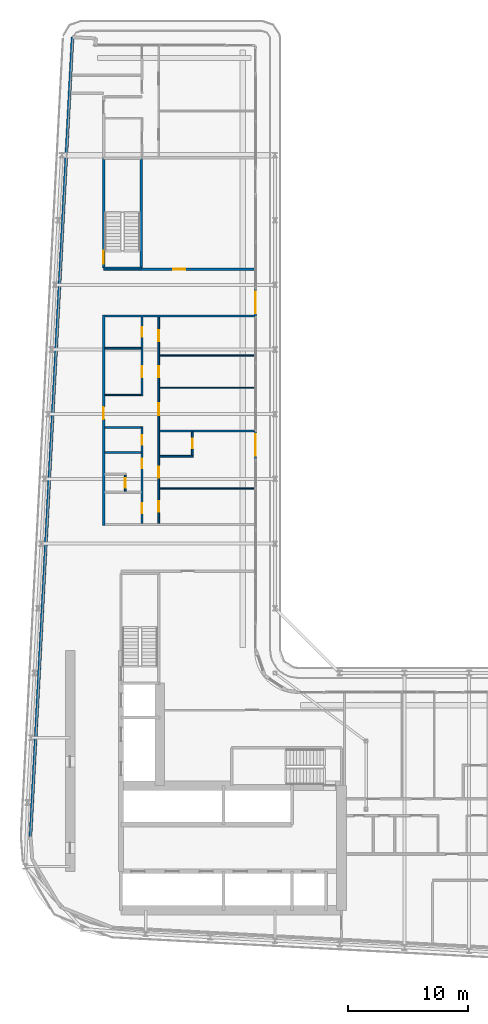
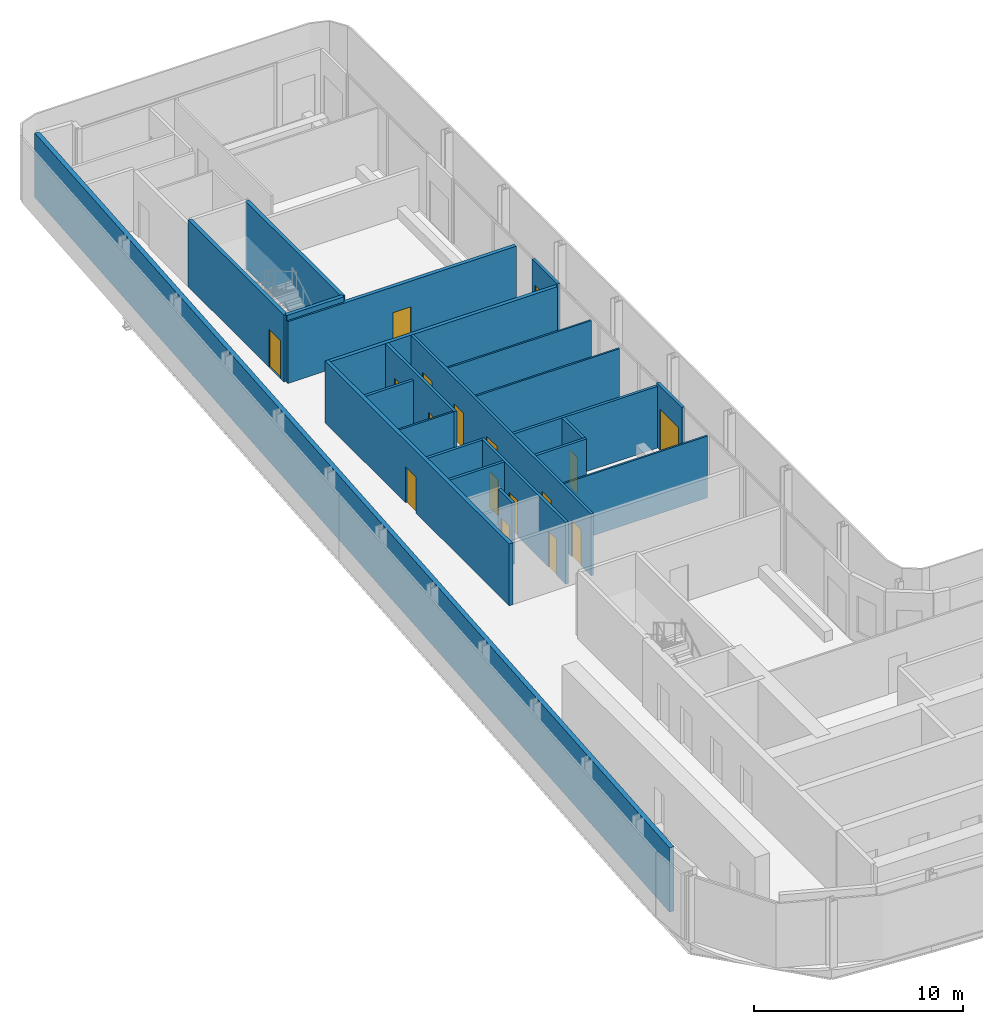
# One storey, part 18 of 28: 23 walls, 17 doors, 17 openings.
"""IFC4 building model written with IfcOpenShell, lengths in metres."""

import ifcopenshell
import ifcopenshell.guid

model = None  # the IFC model being written
_history = None  # IfcOwnerHistory: only IFC2X3 demands one
_inside = {}  # id of a spatial element -> (the spatial element, [elements in it])
_under = {}  # id of a project, library or spatial element -> (it, [spatial elements below it])
_declared = {}  # id of a project -> (the project, [libraries it declares])
_typed = {}  # id of a type object -> (the type object, [elements of that type])
_made_of = {}  # id of a material, layer set ... -> (it, [elements and type objects made of it])


def new_model(schema):
    """Start an empty IFC model of exactly this schema.

    Asked for "IFC4X3", IfcOpenShell would pick the latest addendum, in which some entities
    have other attributes; the version numbers below select the first issue.
    IFC2X3 requires an IfcOwnerHistory on every rooted entity: one is made here for all.
    """
    global model, _history
    if schema == "IFC4X3":
        model = ifcopenshell.file(schema_version=(4, 3, 0, 0))
    else:
        model = ifcopenshell.file(schema=schema)
    _inside.clear()
    _under.clear()
    _declared.clear()
    _typed.clear()
    _made_of.clear()
    _history = None
    if model.schema == "IFC2X3":
        org = make("IfcOrganization", Name="unknown")
        user = make(
            "IfcPersonAndOrganization",
            ThePerson=make("IfcPerson", FamilyName="unknown"),
            TheOrganization=org,
        )
        app = make(
            "IfcApplication",
            ApplicationDeveloper=org,
            Version="unknown",
            ApplicationFullName="unknown",
            ApplicationIdentifier="unknown",
        )
        _history = make(
            "IfcOwnerHistory",
            OwningUser=user,
            OwningApplication=app,
            ChangeAction="ADDED",
            CreationDate=0,
        )
    return model


def make(cls, **values):
    """One entity of the class cls with the attributes given. An attribute that is None is left unset."""
    return model.create_entity(
        cls, **{name: value for name, value in values.items() if value is not None}
    )


def rooted(cls, **values):
    """An entity with a GlobalId (a new one), such as an element, a storey or a relation."""
    return make(cls, GlobalId=ifcopenshell.guid.new(), OwnerHistory=_history, **values)


def si_unit(unit_type, name, prefix=None):
    """IfcSIUnit, for example si_unit("LENGTHUNIT", "METRE", prefix="MILLI")."""
    return make("IfcSIUnit", UnitType=unit_type, Prefix=prefix, Name=name)


def assignment(units):
    """IfcUnitAssignment: the units of a project."""
    return None if units is None else make("IfcUnitAssignment", Units=units)


def point(xyz):
    """IfcCartesianPoint."""
    return None if xyz is None else make("IfcCartesianPoint", Coordinates=xyz)


def direction(xyz):
    """IfcDirection."""
    return None if xyz is None else make("IfcDirection", DirectionRatios=xyz)


def frame(location, z_axis=None, x_axis=None):
    """IfcAxis2Placement3D, a coordinate frame: its origin and axes. An axis left out is left unset."""
    return make(
        "IfcAxis2Placement3D",
        Location=point(location),
        Axis=direction(z_axis),
        RefDirection=direction(x_axis),
    )


def frame_2d(location, x_axis=None):
    """IfcAxis2Placement2D, a coordinate frame in the plane: its origin and x axis."""
    return make(
        "IfcAxis2Placement2D", Location=point(location), RefDirection=direction(x_axis)
    )


def origin():
    """The frame at (0, 0, 0) with its axes left unset."""
    return frame((0.0, 0.0, 0.0))


def place(relative_to, where):
    """IfcLocalPlacement: puts the frame where relative to a parent placement (None: the world)."""
    return make(
        "IfcLocalPlacement", PlacementRelTo=relative_to, RelativePlacement=where
    )


def context(
    kind, dimensions, precision=None, world=None, true_north=None, identifier=None
):
    """IfcGeometricRepresentationContext, for example the 3D "Model" context."""
    return make(
        "IfcGeometricRepresentationContext",
        ContextIdentifier=identifier,
        ContextType=kind,
        CoordinateSpaceDimension=dimensions,
        Precision=precision,
        WorldCoordinateSystem=world,
        TrueNorth=true_north,
    )


def subcontext(parent, identifier, kind, view, scale=None):
    """IfcGeometricRepresentationSubContext, for example "Body" below "Model"."""
    return make(
        "IfcGeometricRepresentationSubContext",
        ContextIdentifier=identifier,
        ContextType=kind,
        ParentContext=parent,
        TargetScale=scale,
        TargetView=view,
    )


def project(units=None, contexts=None):
    """IfcProject with its units and contexts."""
    return rooted(
        "IfcProject",
        Name="project",
        RepresentationContexts=contexts,
        UnitsInContext=assignment(units),
    )


def spatial(cls, under=None, at=None, **own):
    """A site, building, storey or space (cls), placed at a placement, below another one or the project."""
    s = rooted(cls, ObjectPlacement=at, **own)
    if under is not None:
        _under.setdefault(under.id(), (under, []))[1].append(s)
    return s


def profile(cls, at=None, kind="AREA", **sizes):
    """A parametric profile (cls). Its sizes go by their IFC names, for example OverallWidth=200.0."""
    return make(cls, ProfileType=kind, Position=at, **sizes)


def rectangle(**sizes):
    """IfcRectangleProfileDef."""
    return profile("IfcRectangleProfileDef", **sizes)


def extrude(swept, where, along, depth):
    """IfcExtrudedAreaSolid: the profile swept, set in the frame where, extruded along a direction by depth."""
    return make(
        "IfcExtrudedAreaSolid",
        SweptArea=swept,
        Position=where,
        ExtrudedDirection=direction(along),
        Depth=depth,
    )


def shape(context_of_items, identifier, shape_type, items):
    """IfcShapeRepresentation: the items that make up one representation, for example the "Body"."""
    return make(
        "IfcShapeRepresentation",
        ContextOfItems=context_of_items,
        RepresentationIdentifier=identifier,
        RepresentationType=shape_type,
        Items=items,
    )


def source(mapping_origin, context_of_items, identifier, shape_type, items):
    """IfcRepresentationMap: a shape defined once, which mapped items show again and again."""
    return make(
        "IfcRepresentationMap",
        MappingOrigin=mapping_origin,
        MappedRepresentation=shape(context_of_items, identifier, shape_type, items),
    )


def transform(
    local_origin,
    x_axis=None,
    y_axis=None,
    z_axis=None,
    scale=None,
    scale2=None,
    scale3=None,
    uniform=True,
):
    """IfcCartesianTransformationOperator3D, or its non-uniform kind. x_axis, y_axis, z_axis: its Axis1, 2, 3."""
    if uniform:
        return make(
            "IfcCartesianTransformationOperator3D",
            Axis1=direction(x_axis),
            Axis2=direction(y_axis),
            LocalOrigin=point(local_origin),
            Scale=scale,
            Axis3=direction(z_axis),
        )
    return make(
        "IfcCartesianTransformationOperator3DnonUniform",
        Axis1=direction(x_axis),
        Axis2=direction(y_axis),
        LocalOrigin=point(local_origin),
        Scale=scale,
        Axis3=direction(z_axis),
        Scale2=scale2,
        Scale3=scale3,
    )


def mapped(mapping_source, mapping_target):
    """IfcMappedItem: shows the shape of a source again, moved by a transform."""
    return make(
        "IfcMappedItem", MappingSource=mapping_source, MappingTarget=mapping_target
    )


def material(Name=None, Category=None):
    """IfcMaterial."""
    return make("IfcMaterial", Name=Name, Category=Category)


def layer(
    of_material, thickness, ventilated=None, Name=None, Category=None, Priority=None
):
    """IfcMaterialLayer: one layer of a wall or slab, of a material (None: an air gap)."""
    return make(
        "IfcMaterialLayer",
        Material=of_material,
        LayerThickness=thickness,
        IsVentilated=ventilated,
        Name=Name,
        Category=Category,
        Priority=Priority,
    )


def layer_set(layers, Name=None):
    """IfcMaterialLayerSet."""
    return make("IfcMaterialLayerSet", MaterialLayers=layers, LayerSetName=Name)


def made_of(thing, what):
    """Note that an element or type object is made of a material, layer set ...; save() writes the relation."""
    if what is not None:
        _made_of.setdefault(what.id(), (what, []))[1].append(thing)
    return thing


def type_object(cls, material=None, **own):
    """A type object (cls), such as IfcWallType, which elements share."""
    return made_of(rooted(cls, **own), material)


def element(
    cls,
    number,
    at=None,
    inside=None,
    cuts=None,
    type_object=None,
    material=None,
    context=None,
    identifier="Body",
    shape_type=None,
    held_by="IfcProductDefinitionShape",
    body=None,
    shapes=None,
    **own,
):
    """One element of the class cls, such as IfcWall. Its Tag is "e" and its number.

    at: its placement. inside: the storey or other place that contains it. cuts: it is an
    opening in that element (IfcRelVoidsElement). A single representation is given by context,
    identifier, shape_type and body (its items); several are given by shapes. held_by: the class
    of the entity that holds the representations. save() writes the other relations.
    """
    e = rooted(cls, Tag="e%d" % number, ObjectPlacement=at, **own)
    if body is not None:
        shapes = [shape(context, identifier, shape_type, body)]
    if shapes is not None:
        e.Representation = make(held_by, Representations=shapes)
    if inside is not None:
        _inside.setdefault(inside.id(), (inside, []))[1].append(e)
    if cuts is not None:
        rooted(
            "IfcRelVoidsElement", RelatingBuildingElement=cuts, RelatedOpeningElement=e
        )
    if type_object is not None:
        _typed.setdefault(type_object.id(), (type_object, []))[1].append(e)
    return made_of(e, material)


def fill(opening, filler):
    """IfcRelFillsElement: the door or window that sits in an opening."""
    return rooted(
        "IfcRelFillsElement",
        RelatingOpeningElement=opening,
        RelatedBuildingElement=filler,
    )


def aggregate(whole, parts):
    """IfcRelAggregates: a whole, such as a stair, and the parts it consists of."""
    return rooted("IfcRelAggregates", RelatingObject=whole, RelatedObjects=parts)


def save(model, path):
    """Write the relations noted so far, then the file.

    IfcRelAggregates (storeys below a building ...), IfcRelContainedInSpatialStructure (elements
    in a storey), IfcRelDefinesByType, IfcRelAssociatesMaterial and IfcRelDeclares: one each for
    every whole, place, type object, material and project.
    """
    for whole, parts in _under.values():
        aggregate(whole, parts)
    for where, things in _inside.values():
        rooted(
            "IfcRelContainedInSpatialStructure",
            RelatedElements=things,
            RelatingStructure=where,
        )
    for kind, things in _typed.values():
        rooted("IfcRelDefinesByType", RelatedObjects=things, RelatingType=kind)
    for what, things in _made_of.values():
        rooted("IfcRelAssociatesMaterial", RelatedObjects=things, RelatingMaterial=what)
    for by, libraries in _declared.values():
        rooted("IfcRelDeclares", RelatingContext=by, RelatedDefinitions=libraries)
    model.write(path)


model = new_model("IFC4")

# Units and contexts
model_context = context("Model", 3, precision=1e-05, world=origin(), true_north=direction((0.0, 1.0)))
body_context = subcontext(model_context, "Body", "Model", "MODEL_VIEW")
ifc_project = project(units=[si_unit("LENGTHUNIT", "METRE"), si_unit("AREAUNIT", "SQUARE_METRE"), si_unit("VOLUMEUNIT", "CUBIC_METRE"), si_unit("PLANEANGLEUNIT", "RADIAN"), si_unit("MASSUNIT", "GRAM", prefix="KILO")], contexts=[model_context])

# Site, building, storey
site_placement = place(None, origin())
site = spatial("IfcSite", under=ifc_project, at=site_placement, CompositionType="ELEMENT")
building_placement = place(site_placement, origin())
building = spatial("IfcBuilding", under=site, at=building_placement, Name="Kheshtan School and Residences Tower", CompositionType="ELEMENT")
storey_placement = place(building_placement, frame((0.0, 0.0, 187.699951171875)))
storey = spatial("IfcBuildingStorey", under=building, at=storey_placement, Name="L44", CompositionType="ELEMENT", Elevation=187.699951171875)

# Wall, opening, door
ifc_material_1 = material(Name="Gypsum board on steel studs with fire boards", Category="steel")
ifc_layer_1 = layer(ifc_material_1, 0.199951171875)
ifc_layer_set_1 = layer_set([ifc_layer_1], Name="Corridor wall 200")
wall_type_1 = type_object("IfcWallType", Name="Corridor wall 200", PredefinedType="PARTITIONING", material=ifc_layer_set_1)
wall_1_placement = place(storey_placement, frame((33.300048828125, 57.89990234375, 0.0), z_axis=(0.0, 0.0, 1.0), x_axis=(0.0, 1.0, 0.0)))
wall_1 = element("IfcWall", 1, at=wall_1_placement, inside=storey, type_object=wall_type_1, Name="Partition L44-003", PredefinedType="PARTITIONING", context=body_context, shape_type="SweptSolid", body=[
    extrude(rectangle(XDim=17.60009765625, YDim=0.199951171875, at=frame_2d((8.800048828125, 0.0))), origin(), (0.0, 0.0, 1.0), 3.60009765625),
])
opening_1_placement = place(wall_1_placement, frame((8.89990234375, 0.0, 0.0)))
opening_1 = element("IfcOpeningElement", 2, at=opening_1_placement, cuts=wall_1, Name="Opening D43-039", PredefinedType="OPENING", context=body_context, shape_type="SweptSolid", body=[
    extrude(rectangle(XDim=1.0, YDim=2.10009765625, at=frame_2d((0.5, 1.050048828125))), frame((0.0, 0.10986328125, 0.0), z_axis=(0.0, -1.0, 0.0), x_axis=(1.0, 0.0, 0.0)), (0.0, 0.0, 1.0), 0.219970703125),
])
ifc_material_2 = material(Name="Steel-framed fire-resisting door leaf", Category="steel")
door_type_1 = type_object("IfcDoorType", Name="Fire door FD30S 1000 x 2100", OperationType="SINGLE_SWING_LEFT", PredefinedType="DOOR", material=ifc_material_2)
shared_shape_1 = source(origin(), body_context, "Body", "SweptSolid", [
    extrude(rectangle(XDim=1.0, YDim=2.10009765625, at=frame_2d((0.5, 1.050048828125))), frame((0.0, 0.02490234375, 0.0), z_axis=(0.0, -1.0, 0.0), x_axis=(1.0, 0.0, 0.0)), (0.0, 0.0, 1.0), 0.050048828125),
])
door_1_placement = place(opening_1_placement, origin())
door_1 = element("IfcDoor", 3, at=door_1_placement, inside=storey, type_object=door_type_1, Name="Door D43-039", OperationType="SINGLE_SWING_RIGHT", OverallHeight=2.10009765625, OverallWidth=1.0, PredefinedType="DOOR", context=body_context, shape_type="MappedRepresentation", body=[
    mapped(shared_shape_1, transform((0.0, 0.0, 0.0), x_axis=(1.0, 0.0, 0.0), y_axis=(0.0, 1.0, 0.0), z_axis=(0.0, 0.0, 1.0), scale=1.0)),
])
fill(opening_1, door_1)

wall_2_placement = place(storey_placement, frame((33.300048828125, 79.300048828125, 0.0), z_axis=(0.0, 0.0, 1.0), x_axis=(1.0, 0.0, 0.0)))
wall_2 = element("IfcWall", 4, at=wall_2_placement, inside=storey, type_object=wall_type_1, Name="Partition L44-004", PredefinedType="PARTITIONING", context=body_context, shape_type="SweptSolid", body=[
    extrude(rectangle(XDim=12.599853515625, YDim=0.199951171875, at=frame_2d((6.2998046875, 0.0))), origin(), (0.0, 0.0, 1.0), 3.60009765625),
])
opening_2_placement = place(wall_2_placement, frame((5.794921875, 0.0, 0.0)))
opening_2 = element("IfcOpeningElement", 5, at=opening_2_placement, cuts=wall_2, Name="Opening D43-056", PredefinedType="OPENING", context=body_context, shape_type="SweptSolid", body=[
    extrude(rectangle(XDim=1.0, YDim=2.10009765625, at=frame_2d((0.5, 1.050048828125))), frame((0.0, 0.10986328125, 0.0), z_axis=(0.0, -1.0, 0.0), x_axis=(1.0, 0.0, 0.0)), (0.0, 0.0, 1.0), 0.219970703125),
])
door_type_2 = type_object("IfcDoorType", Name="Fire door FD60 1000 x 2100", OperationType="SINGLE_SWING_LEFT", PredefinedType="DOOR", material=ifc_material_2)
shared_shape_2 = source(origin(), body_context, "Body", "SweptSolid", [
    extrude(rectangle(XDim=1.0, YDim=2.10009765625, at=frame_2d((0.5, 1.050048828125))), frame((0.0, 0.02490234375, 0.0), z_axis=(0.0, -1.0, 0.0), x_axis=(1.0, 0.0, 0.0)), (0.0, 0.0, 1.0), 0.050048828125),
])
door_2_placement = place(opening_2_placement, origin())
door_2 = element("IfcDoor", 6, at=door_2_placement, inside=storey, type_object=door_type_2, Name="Door D43-056", OperationType="SINGLE_SWING_RIGHT", OverallHeight=2.10009765625, OverallWidth=1.0, PredefinedType="DOOR", context=body_context, shape_type="MappedRepresentation", body=[
    mapped(shared_shape_2, transform((0.0, 0.0, 0.0), x_axis=(1.0, 0.0, 0.0), y_axis=(0.0, 1.0, 0.0), z_axis=(0.0, 0.0, 1.0), scale=1.0)),
])
fill(opening_2, door_2)

# Walls
wall_3_placement = place(storey_placement, frame((33.39990234375, 75.39990234375, 0.0), z_axis=(0.0, 0.0, 1.0), x_axis=(1.0, 0.0, 0.0)))
element("IfcWall", 7, at=wall_3_placement, inside=storey, type_object=wall_type_1, Name="Partition L44-013", PredefinedType="PARTITIONING", context=body_context, shape_type="SweptSolid", body=[
    extrude(rectangle(XDim=12.5, YDim=0.199951171875, at=frame_2d((6.25, 0.0))), origin(), (0.0, 0.0, 1.0), 3.60009765625),
])
ifc_material_3 = material(Name="Concrete C40/50 with ceramic cladding and mineral wool insulation", Category="concrete")
ifc_layer_2 = layer(ifc_material_3, 0.25)
ifc_layer_set_2 = layer_set([ifc_layer_2], Name="External wall 250 ceramic clad")
wall_type_2 = type_object("IfcWallType", Name="External wall 250 ceramic clad", PredefinedType="SOLIDWALL", material=ifc_layer_set_2)
wall_4_placement = place(storey_placement, frame((27.195068359375, 31.968994140625, 0.0), z_axis=(0.0, 0.0, 1.0), x_axis=(0.052554995867, 0.998618031286, 0.0)))
element("IfcWall", 8, at=wall_4_placement, inside=storey, type_object=wall_type_2, Name="External wall L44 4", PredefinedType="SOLIDWALL", context=body_context, shape_type="SweptSolid", body=[
    extrude(rectangle(XDim=66.787353515625, YDim=0.25, at=frame_2d((33.3935546875, 0.0))), origin(), (0.0, 0.0, 1.0), 3.75),
])

# Wall, opening, door
ifc_material_4 = material(Name="Aluminium frame wall with insulated infill", Category="aluminium")
ifc_layer_3 = layer(ifc_material_4, 0.14990234375)
ifc_layer_set_3 = layer_set([ifc_layer_3], Name="Glazing frame wall 150")
wall_type_3 = type_object("IfcWallType", Name="Glazing frame wall 150", PredefinedType="SOLIDWALL", material=ifc_layer_set_3)
wall_5_placement = place(storey_placement, frame((45.97509765625, 77.7119140625, 0.0), z_axis=(0.0, 0.0, 1.0), x_axis=(0.0, -1.0, 0.0)))
wall_5 = element("IfcWall", 9, at=wall_5_placement, inside=storey, type_object=wall_type_3, Name="Balcony door wall L44 8.3", PredefinedType="SOLIDWALL", context=body_context, shape_type="SweptSolid", body=[
    extrude(rectangle(XDim=2.39990234375, YDim=0.14990234375, at=frame_2d((1.199951171875, 0.0))), origin(), (0.0, 0.0, 1.0), 3.75),
])
opening_3_placement = place(wall_5_placement, frame((0.300048828125, 0.0, 0.0)))
opening_3 = element("IfcOpeningElement", 10, at=opening_3_placement, cuts=wall_5, Name="Opening BD", PredefinedType="OPENING", context=body_context, shape_type="SweptSolid", body=[
    extrude(rectangle(XDim=1.800048828125, YDim=2.39990234375, at=frame_2d((0.89990234375, 1.199951171875))), frame((0.0, 0.0849609375, 0.0), z_axis=(0.0, -1.0, 0.0), x_axis=(1.0, 0.0, 0.0)), (0.0, 0.0, 1.0), 0.169921875),
])
ifc_material_5 = material(Name="Clear low-e glass in thermally broken aluminium frame", Category="aluminium")
door_type_3 = type_object("IfcDoorType", Name="Balcony sliding door", OperationType="SLIDING_TO_LEFT", PredefinedType="DOOR", material=ifc_material_5)
shared_shape_3 = source(origin(), body_context, "Body", "SweptSolid", [
    extrude(rectangle(XDim=1.800048828125, YDim=2.39990234375, at=frame_2d((0.89990234375, 1.199951171875))), frame((0.0, 0.02490234375, 0.0), z_axis=(0.0, -1.0, 0.0), x_axis=(1.0, 0.0, 0.0)), (0.0, 0.0, 1.0), 0.050048828125),
])
door_3_placement = place(opening_3_placement, origin())
door_3 = element("IfcDoor", 11, at=door_3_placement, inside=storey, type_object=door_type_3, Name="Balcony door L44 8.3", OperationType="SLIDING_TO_LEFT", OverallHeight=2.39990234375, OverallWidth=1.800048828125, PredefinedType="DOOR", context=body_context, shape_type="MappedRepresentation", body=[
    mapped(shared_shape_3, transform((0.0, 0.0, 0.0), x_axis=(1.0, 0.0, 0.0), y_axis=(0.0, 1.0, 0.0), z_axis=(0.0, 0.0, 1.0), scale=1.0)),
])
fill(opening_3, door_3)

wall_6_placement = place(storey_placement, frame((45.97509765625, 65.818115234375, 0.0), z_axis=(0.0, 0.0, 1.0), x_axis=(0.0, -1.0, 0.0)))
wall_6 = element("IfcWall", 12, at=wall_6_placement, inside=storey, type_object=wall_type_3, Name="Balcony door wall L44 8.4", PredefinedType="SOLIDWALL", context=body_context, shape_type="SweptSolid", body=[
    extrude(rectangle(XDim=2.400146484375, YDim=0.14990234375, at=frame_2d((1.2001953125, 0.0))), origin(), (0.0, 0.0, 1.0), 3.75),
])
opening_4_placement = place(wall_6_placement, frame((0.300048828125, 0.0, 0.0)))
opening_4 = element("IfcOpeningElement", 13, at=opening_4_placement, cuts=wall_6, Name="Opening BD", PredefinedType="OPENING", context=body_context, shape_type="SweptSolid", body=[
    extrude(rectangle(XDim=1.800048828125, YDim=2.39990234375, at=frame_2d((0.89990234375, 1.199951171875))), frame((0.0, 0.0849609375, 0.0), z_axis=(0.0, -1.0, 0.0), x_axis=(1.0, 0.0, 0.0)), (0.0, 0.0, 1.0), 0.169921875),
])
door_4_placement = place(opening_4_placement, origin())
door_4 = element("IfcDoor", 14, at=door_4_placement, inside=storey, type_object=door_type_3, Name="Balcony door L44 8.4", OperationType="SLIDING_TO_LEFT", OverallHeight=2.39990234375, OverallWidth=1.800048828125, PredefinedType="DOOR", context=body_context, shape_type="MappedRepresentation", body=[
    mapped(shared_shape_3, transform((0.0, 0.0, 0.0), x_axis=(1.0, 0.0, 0.0), y_axis=(0.0, 1.0, 0.0), z_axis=(0.0, 0.0, 1.0), scale=1.0)),
])
fill(opening_4, door_4)

# Walls
ifc_material_6 = material(Name="Gypsum board on steel studs", Category="steel")
ifc_layer_4 = layer(ifc_material_6, 0.10009765625)
ifc_layer_set_4 = layer_set([ifc_layer_4], Name="Gypsum partition 100")
wall_type_4 = type_object("IfcWallType", Name="Gypsum partition 100", PredefinedType="PARTITIONING", material=ifc_layer_set_4)
wall_7_placement = place(storey_placement, frame((33.39990234375, 68.800048828125, 0.0), z_axis=(0.0, 0.0, 1.0), x_axis=(1.0, 0.0, 0.0)))
element("IfcWall", 15, at=wall_7_placement, inside=storey, type_object=wall_type_4, Name="Partition L44-011", PredefinedType="PARTITIONING", context=body_context, shape_type="SweptSolid", body=[
    extrude(rectangle(XDim=3.025146484375, YDim=0.10009765625, at=frame_2d((1.5126953125, 0.0))), origin(), (0.0, 0.0, 1.0), 3.60009765625),
])
for number, where, z_axis, x_axis, name in (
    (16, (37.97509765625, 61.0, 0.0), (0.0, 0.0, 1.0), (1.0, 0.0, 0.0), "Partition L44-026"),
    (17, (37.97509765625, 69.39990234375, 0.0), (0.0, 0.0, 1.0), (1.0, 0.0, 0.0), "Partition L44-029"),
    (18, (37.97509765625, 72.10009765625, 0.0), (0.0, 0.0, 1.0), (1.0, 0.0, 0.0), "Partition L44-030"),
):
    element("IfcWall", number, at=place(storey_placement, frame(where, z_axis=z_axis, x_axis=x_axis)), inside=storey, type_object=wall_type_4, Name=name, PredefinedType="PARTITIONING", context=body_context, shape_type="SweptSolid", body=[
        extrude(rectangle(XDim=7.9248046875, YDim=0.10009765625, at=frame_2d((3.96240234375, 0.0))), origin(), (0.0, 0.0, 1.0), 3.60009765625),
    ])
ifc_material_7 = material(Name="Concrete C40/50", Category="concrete")
ifc_layer_5 = layer(ifc_material_7, 0.199951171875)
ifc_layer_set_5 = layer_set([ifc_layer_5], Name="Stair enclosure wall 200 Concrete C40/50")
wall_type_5 = type_object("IfcWallType", Name="Stair enclosure wall 200 Concrete C40/50", PredefinedType="SHEAR", material=ifc_layer_set_5)
wall_8_placement = place(storey_placement, frame((33.300048828125, 79.39990234375, 0.0), z_axis=(0.0, 0.0, 1.0), x_axis=(1.0, 0.0, 0.0)))
element("IfcWall", 19, at=wall_8_placement, inside=storey, type_object=wall_type_5, Name="Stair enclosure wall ST3", PredefinedType="SHEAR", context=body_context, shape_type="SweptSolid", body=[
    extrude(rectangle(XDim=3.14990234375, YDim=0.199951171875, at=frame_2d((1.574951171875, 0.0))), origin(), (0.0, 0.0, 1.0), 3.900146484375),
])

# Wall, opening, door
wall_9_placement = place(storey_placement, frame((33.300048828125, 79.39990234375, 0.0), z_axis=(0.0, 0.0, 1.0), x_axis=(0.0, 1.0, 0.0)))
wall_9 = element("IfcWall", 20, at=wall_9_placement, inside=storey, type_object=wall_type_5, Name="Stair enclosure wall ST3", PredefinedType="SHEAR", context=body_context, shape_type="SweptSolid", body=[
    extrude(rectangle(XDim=9.16015625, YDim=0.199951171875, at=frame_2d((4.580078125, 0.0))), origin(), (0.0, 0.0, 1.0), 3.900146484375),
])
opening_5_placement = place(wall_9_placement, frame((0.35009765625, 0.0, 0.0)))
opening_5 = element("IfcOpeningElement", 21, at=opening_5_placement, cuts=wall_9, Name="Opening ST3D", PredefinedType="OPENING", context=body_context, shape_type="SweptSolid", body=[
    extrude(rectangle(XDim=1.10009765625, YDim=2.199951171875, at=frame_2d((0.550048828125, 1.10009765625))), frame((0.0, 0.10986328125, 0.0), z_axis=(0.0, -1.0, 0.0), x_axis=(1.0, 0.0, 0.0)), (0.0, 0.0, 1.0), 0.219970703125),
])
ifc_material_8 = material(Name="Steel door leaf, galvanised", Category="steel")
door_type_4 = type_object("IfcDoorType", Name="Stair door 1100 steel 90 min", OperationType="SINGLE_SWING_LEFT", PredefinedType="DOOR", material=ifc_material_8)
shared_shape_4 = source(origin(), body_context, "Body", "SweptSolid", [
    extrude(rectangle(XDim=1.10009765625, YDim=2.199951171875, at=frame_2d((0.550048828125, 1.10009765625))), frame((0.0, 0.02490234375, 0.0), z_axis=(0.0, -1.0, 0.0), x_axis=(1.0, 0.0, 0.0)), (0.0, 0.0, 1.0), 0.050048828125),
])
door_5_placement = place(opening_5_placement, origin())
door_5 = element("IfcDoor", 22, at=door_5_placement, inside=storey, type_object=door_type_4, Name="Stair ST3 door", OperationType="SINGLE_SWING_RIGHT", OverallHeight=2.199951171875, OverallWidth=1.10009765625, PredefinedType="DOOR", context=body_context, shape_type="MappedRepresentation", body=[
    mapped(shared_shape_4, transform((0.0, 0.0, 0.0), x_axis=(1.0, 0.0, 0.0), y_axis=(0.0, 1.0, 0.0), z_axis=(0.0, 0.0, 1.0), scale=1.0)),
])
fill(opening_5, door_5)

# Walls
wall_10_placement = place(storey_placement, frame((36.449951171875, 79.39990234375, 0.0), z_axis=(0.0, 0.0, 1.0), x_axis=(0.0, 1.0, 0.0)))
element("IfcWall", 23, at=wall_10_placement, inside=storey, type_object=wall_type_5, Name="Stair enclosure wall ST3", PredefinedType="SHEAR", context=body_context, shape_type="SweptSolid", body=[
    extrude(rectangle(XDim=9.16015625, YDim=0.199951171875, at=frame_2d((4.580078125, 0.0))), origin(), (0.0, 0.0, 1.0), 3.900146484375),
])
ifc_material_9 = material(Name="Moisture-resistant gypsum board on steel studs", Category="steel")
ifc_layer_6 = layer(ifc_material_9, 0.14990234375)
ifc_layer_set_6 = layer_set([ifc_layer_6], Name="Wet-room partition 150")
wall_type_6 = type_object("IfcWallType", Name="Wet-room partition 150", PredefinedType="PARTITIONING", material=ifc_layer_set_6)
for number, where, z_axis, x_axis, name in (
    (24, (33.39990234375, 64.0, 0.0), (0.0, 0.0, 1.0), (1.0, 0.0, 0.0), "Partition L44-009"),
    (25, (33.39990234375, 66.10009765625, 0.0), (0.0, 0.0, 1.0), (1.0, 0.0, 0.0), "Partition L44-010"),
):
    element("IfcWall", number, at=place(storey_placement, frame(where, z_axis=z_axis, x_axis=x_axis)), inside=storey, type_object=wall_type_6, Name=name, PredefinedType="PARTITIONING", context=body_context, shape_type="SweptSolid", body=[
        extrude(rectangle(XDim=3.025146484375, YDim=0.14990234375, at=frame_2d((1.5126953125, 0.0))), origin(), (0.0, 0.0, 1.0), 3.60009765625),
    ])
wall_11_placement = place(storey_placement, frame((33.39990234375, 72.699951171875, 0.0), z_axis=(0.0, 0.0, 1.0), x_axis=(1.0, 0.0, 0.0)))
element("IfcWall", 26, at=wall_11_placement, inside=storey, type_object=wall_type_6, Name="Partition L44-012", PredefinedType="PARTITIONING", context=body_context, shape_type="SweptSolid", body=[
    extrude(rectangle(XDim=3.025146484375, YDim=0.14990234375, at=frame_2d((1.5126953125, 0.0))), origin(), (0.0, 0.0, 1.0), 3.072021484375),
])

# Wall, opening, door
wall_12_placement = place(storey_placement, frame((35.10009765625, 60.77490234375, 0.0), z_axis=(0.0, 0.0, 1.0), x_axis=(0.0, 1.0, 0.0)))
wall_12 = element("IfcWall", 27, at=wall_12_placement, inside=storey, type_object=wall_type_6, Name="Partition L44-017", PredefinedType="PARTITIONING", context=body_context, shape_type="SweptSolid", body=[
    extrude(rectangle(XDim=1.35009765625, YDim=0.14990234375, at=frame_2d((0.675048828125, 0.0))), origin(), (0.0, 0.0, 1.0), 3.60009765625),
])
opening_6_placement = place(wall_12_placement, frame((0.27490234375, 0.0, 0.0)))
opening_6 = element("IfcOpeningElement", 28, at=opening_6_placement, cuts=wall_12, Name="Opening D43-043", PredefinedType="OPENING", context=body_context, shape_type="SweptSolid", body=[
    extrude(rectangle(XDim=0.800048828125, YDim=2.10009765625, at=frame_2d((0.39990234375, 1.050048828125))), frame((0.0, 0.0849609375, 0.0), z_axis=(0.0, -1.0, 0.0), x_axis=(1.0, 0.0, 0.0)), (0.0, 0.0, 1.0), 0.169921875),
])
ifc_material_10 = material(Name="Veneered timber door leaf", Category="wood")
door_type_5 = type_object("IfcDoorType", Name="Door 800 x 2100", OperationType="SINGLE_SWING_LEFT", PredefinedType="DOOR", material=ifc_material_10)
shared_shape_5 = source(origin(), body_context, "Body", "SweptSolid", [
    extrude(rectangle(XDim=0.800048828125, YDim=2.10009765625, at=frame_2d((0.39990234375, 1.050048828125))), frame((0.0, 0.02490234375, 0.0), z_axis=(0.0, -1.0, 0.0), x_axis=(1.0, 0.0, 0.0)), (0.0, 0.0, 1.0), 0.050048828125),
])
door_6_placement = place(opening_6_placement, origin())
door_6 = element("IfcDoor", 29, at=door_6_placement, inside=storey, type_object=door_type_5, Name="Door D43-043", OperationType="SINGLE_SWING_LEFT", OverallHeight=2.10009765625, OverallWidth=0.800048828125, PredefinedType="DOOR", context=body_context, shape_type="MappedRepresentation", body=[
    mapped(shared_shape_5, transform((0.0, 0.0, 0.0), x_axis=(1.0, 0.0, 0.0), y_axis=(0.0, 1.0, 0.0), z_axis=(0.0, 0.0, 1.0), scale=1.0)),
])
fill(opening_6, door_6)

# Wall, openings, doors
wall_13_placement = place(storey_placement, frame((36.5, 58.10009765625, 0.0), z_axis=(0.0, 0.0, 1.0), x_axis=(0.0, 1.0, 0.0)))
wall_13 = element("IfcWall", 30, at=wall_13_placement, inside=storey, type_object=wall_type_6, Name="Partition L44-019", PredefinedType="PARTITIONING", context=body_context, shape_type="SweptSolid", body=[
    extrude(rectangle(XDim=8.074951171875, YDim=0.14990234375, at=frame_2d((4.03759765625, 0.0))), origin(), (0.0, 0.0, 1.0), 3.60009765625),
])
opening_7_placement = place(wall_13_placement, frame((0.85009765625, 0.0, 0.0)))
opening_7 = element("IfcOpeningElement", 31, at=opening_7_placement, cuts=wall_13, Name="Opening D43-034", PredefinedType="OPENING", context=body_context, shape_type="SweptSolid", body=[
    extrude(rectangle(XDim=0.800048828125, YDim=2.10009765625, at=frame_2d((0.39990234375, 1.050048828125))), frame((0.0, 0.0849609375, 0.0), z_axis=(0.0, -1.0, 0.0), x_axis=(1.0, 0.0, 0.0)), (0.0, 0.0, 1.0), 0.169921875),
])
opening_8_placement = place(wall_13_placement, frame((4.60009765625, 0.0, 0.0)))
opening_8 = element("IfcOpeningElement", 32, at=opening_8_placement, cuts=wall_13, Name="Opening D43-042", PredefinedType="OPENING", context=body_context, shape_type="SweptSolid", body=[
    extrude(rectangle(XDim=0.800048828125, YDim=2.10009765625, at=frame_2d((0.39990234375, 1.050048828125))), frame((0.0, 0.0849609375, 0.0), z_axis=(0.0, -1.0, 0.0), x_axis=(1.0, 0.0, 0.0)), (0.0, 0.0, 1.0), 0.169921875),
])
opening_9_placement = place(wall_13_placement, frame((6.550048828125, 0.0, 0.0)))
opening_9 = element("IfcOpeningElement", 33, at=opening_9_placement, cuts=wall_13, Name="Opening D43-046", PredefinedType="OPENING", context=body_context, shape_type="SweptSolid", body=[
    extrude(rectangle(XDim=0.800048828125, YDim=2.10009765625, at=frame_2d((0.39990234375, 1.050048828125))), frame((0.0, 0.0849609375, 0.0), z_axis=(0.0, -1.0, 0.0), x_axis=(1.0, 0.0, 0.0)), (0.0, 0.0, 1.0), 0.169921875),
])
door_7_placement = place(opening_7_placement, origin())
door_7 = element("IfcDoor", 34, at=door_7_placement, inside=storey, type_object=door_type_5, Name="Door D43-034", OperationType="SINGLE_SWING_RIGHT", OverallHeight=2.10009765625, OverallWidth=0.800048828125, PredefinedType="DOOR", context=body_context, shape_type="MappedRepresentation", body=[
    mapped(shared_shape_5, transform((0.0, 0.0, 0.0), x_axis=(1.0, 0.0, 0.0), y_axis=(0.0, 1.0, 0.0), z_axis=(0.0, 0.0, 1.0), scale=1.0)),
])
fill(opening_7, door_7)
door_8_placement = place(opening_8_placement, origin())
door_8 = element("IfcDoor", 35, at=door_8_placement, inside=storey, type_object=door_type_5, Name="Door D43-042", OperationType="SINGLE_SWING_RIGHT", OverallHeight=2.10009765625, OverallWidth=0.800048828125, PredefinedType="DOOR", context=body_context, shape_type="MappedRepresentation", body=[
    mapped(shared_shape_5, transform((0.0, 0.0, 0.0), x_axis=(1.0, 0.0, 0.0), y_axis=(0.0, 1.0, 0.0), z_axis=(0.0, 0.0, 1.0), scale=1.0)),
])
fill(opening_8, door_8)
door_9_placement = place(opening_9_placement, origin())
door_9 = element("IfcDoor", 36, at=door_9_placement, inside=storey, type_object=door_type_5, Name="Door D43-046", OperationType="SINGLE_SWING_RIGHT", OverallHeight=2.10009765625, OverallWidth=0.800048828125, PredefinedType="DOOR", context=body_context, shape_type="MappedRepresentation", body=[
    mapped(shared_shape_5, transform((0.0, 0.0, 0.0), x_axis=(1.0, 0.0, 0.0), y_axis=(0.0, 1.0, 0.0), z_axis=(0.0, 0.0, 1.0), scale=1.0)),
])
fill(opening_9, door_9)

wall_14_placement = place(storey_placement, frame((36.5, 68.75, 0.0), z_axis=(0.0, 0.0, 1.0), x_axis=(0.0, 1.0, 0.0)))
wall_14 = element("IfcWall", 37, at=wall_14_placement, inside=storey, type_object=wall_type_6, Name="Partition L44-020", PredefinedType="PARTITIONING", context=body_context, shape_type="SweptSolid", body=[
    extrude(rectangle(XDim=6.550048828125, YDim=0.14990234375, at=frame_2d((3.27490234375, 0.0))), origin(), (0.0, 0.0, 1.0), 3.60009765625),
])
opening_10_placement = place(wall_14_placement, frame((4.89990234375, 0.0, 0.0)))
opening_10 = element("IfcOpeningElement", 38, at=opening_10_placement, cuts=wall_14, Name="Opening D43-035", PredefinedType="OPENING", context=body_context, shape_type="SweptSolid", body=[
    extrude(rectangle(XDim=0.800048828125, YDim=2.10009765625, at=frame_2d((0.39990234375, 1.050048828125))), frame((0.0, 0.0849609375, 0.0), z_axis=(0.0, -1.0, 0.0), x_axis=(1.0, 0.0, 0.0)), (0.0, 0.0, 1.0), 0.169921875),
])
opening_11_placement = place(wall_14_placement, frame((1.550048828125, 0.0, 0.0)))
opening_11 = element("IfcOpeningElement", 39, at=opening_11_placement, cuts=wall_14, Name="Opening D43-040", PredefinedType="OPENING", context=body_context, shape_type="SweptSolid", body=[
    extrude(rectangle(XDim=0.89990234375, YDim=2.10009765625, at=frame_2d((0.449951171875, 1.050048828125))), frame((0.0, 0.0849609375, 0.0), z_axis=(0.0, -1.0, 0.0), x_axis=(1.0, 0.0, 0.0)), (0.0, 0.0, 1.0), 0.169921875),
])
door_10_placement = place(opening_10_placement, origin())
door_10 = element("IfcDoor", 40, at=door_10_placement, inside=storey, type_object=door_type_5, Name="Door D43-035", OperationType="SINGLE_SWING_LEFT", OverallHeight=2.10009765625, OverallWidth=0.800048828125, PredefinedType="DOOR", context=body_context, shape_type="MappedRepresentation", body=[
    mapped(shared_shape_5, transform((0.0, 0.0, 0.0), x_axis=(1.0, 0.0, 0.0), y_axis=(0.0, 1.0, 0.0), z_axis=(0.0, 0.0, 1.0), scale=1.0)),
])
fill(opening_10, door_10)
door_type_6 = type_object("IfcDoorType", Name="Door 900 x 2100", OperationType="SINGLE_SWING_LEFT", PredefinedType="DOOR", material=ifc_material_10)
shared_shape_6 = source(origin(), body_context, "Body", "SweptSolid", [
    extrude(rectangle(XDim=0.89990234375, YDim=2.10009765625, at=frame_2d((0.449951171875, 1.050048828125))), frame((0.0, 0.02490234375, 0.0), z_axis=(0.0, -1.0, 0.0), x_axis=(1.0, 0.0, 0.0)), (0.0, 0.0, 1.0), 0.050048828125),
])
door_11_placement = place(opening_11_placement, origin())
door_11 = element("IfcDoor", 41, at=door_11_placement, inside=storey, type_object=door_type_6, Name="Door D43-040", OperationType="SINGLE_SWING_RIGHT", OverallHeight=2.10009765625, OverallWidth=0.89990234375, PredefinedType="DOOR", context=body_context, shape_type="MappedRepresentation", body=[
    mapped(shared_shape_6, transform((0.0, 0.0, 0.0), x_axis=(1.0, 0.0, 0.0), y_axis=(0.0, 1.0, 0.0), z_axis=(0.0, 0.0, 1.0), scale=1.0)),
])
fill(opening_11, door_11)

wall_15_placement = place(storey_placement, frame((37.89990234375, 58.10009765625, 0.0), z_axis=(0.0, 0.0, 1.0), x_axis=(0.0, 1.0, 0.0)))
wall_15 = element("IfcWall", 42, at=wall_15_placement, inside=storey, type_object=wall_type_6, Name="Partition L44-023", PredefinedType="PARTITIONING", context=body_context, shape_type="SweptSolid", body=[
    extrude(rectangle(XDim=17.199951171875, YDim=0.14990234375, at=frame_2d((8.60009765625, 0.0))), origin(), (0.0, 0.0, 1.0), 3.60009765625),
])
opening_12_placement = place(wall_15_placement, frame((0.949951171875, 0.0, 0.0)))
opening_12 = element("IfcOpeningElement", 43, at=opening_12_placement, cuts=wall_15, Name="Opening D43-036", PredefinedType="OPENING", context=body_context, shape_type="SweptSolid", body=[
    extrude(rectangle(XDim=0.89990234375, YDim=2.10009765625, at=frame_2d((0.449951171875, 1.050048828125))), frame((0.0, 0.0849609375, 0.0), z_axis=(0.0, -1.0, 0.0), x_axis=(1.0, 0.0, 0.0)), (0.0, 0.0, 1.0), 0.169921875),
])
opening_13_placement = place(wall_15_placement, frame((15.199951171875, 0.0, 0.0)))
opening_13 = element("IfcOpeningElement", 44, at=opening_13_placement, cuts=wall_15, Name="Opening D43-037", PredefinedType="OPENING", context=body_context, shape_type="SweptSolid", body=[
    extrude(rectangle(XDim=0.89990234375, YDim=2.10009765625, at=frame_2d((0.449951171875, 1.050048828125))), frame((0.0, 0.0849609375, 0.0), z_axis=(0.0, -1.0, 0.0), x_axis=(1.0, 0.0, 0.0)), (0.0, 0.0, 1.0), 0.169921875),
])
opening_14_placement = place(wall_15_placement, frame((9.0, 0.0, 0.0)))
opening_14 = element("IfcOpeningElement", 45, at=opening_14_placement, cuts=wall_15, Name="Opening D43-041", PredefinedType="OPENING", context=body_context, shape_type="SweptSolid", body=[
    extrude(rectangle(XDim=1.0, YDim=2.10009765625, at=frame_2d((0.5, 1.050048828125))), frame((0.0, 0.0849609375, 0.0), z_axis=(0.0, -1.0, 0.0), x_axis=(1.0, 0.0, 0.0)), (0.0, 0.0, 1.0), 0.169921875),
])
opening_15_placement = place(wall_15_placement, frame((12.199951171875, 0.0, 0.0)))
opening_15 = element("IfcOpeningElement", 46, at=opening_15_placement, cuts=wall_15, Name="Opening D43-044", PredefinedType="OPENING", context=body_context, shape_type="SweptSolid", body=[
    extrude(rectangle(XDim=0.89990234375, YDim=2.10009765625, at=frame_2d((0.449951171875, 1.050048828125))), frame((0.0, 0.0849609375, 0.0), z_axis=(0.0, -1.0, 0.0), x_axis=(1.0, 0.0, 0.0)), (0.0, 0.0, 1.0), 0.169921875),
])
opening_16_placement = place(wall_15_placement, frame((3.800048828125, 0.0, 0.0)))
opening_16 = element("IfcOpeningElement", 47, at=opening_16_placement, cuts=wall_15, Name="Opening D43-045", PredefinedType="OPENING", context=body_context, shape_type="SweptSolid", body=[
    extrude(rectangle(XDim=0.89990234375, YDim=2.10009765625, at=frame_2d((0.449951171875, 1.050048828125))), frame((0.0, 0.0849609375, 0.0), z_axis=(0.0, -1.0, 0.0), x_axis=(1.0, 0.0, 0.0)), (0.0, 0.0, 1.0), 0.169921875),
])
door_type_7 = type_object("IfcDoorType", Name="Door 1000 x 2100", OperationType="SINGLE_SWING_LEFT", PredefinedType="DOOR", material=ifc_material_10)
shared_shape_7 = source(origin(), body_context, "Body", "SweptSolid", [
    extrude(rectangle(XDim=1.0, YDim=2.10009765625, at=frame_2d((0.5, 1.050048828125))), frame((0.0, 0.02490234375, 0.0), z_axis=(0.0, -1.0, 0.0), x_axis=(1.0, 0.0, 0.0)), (0.0, 0.0, 1.0), 0.050048828125),
])
door_12_placement = place(opening_14_placement, origin())
door_12 = element("IfcDoor", 48, at=door_12_placement, inside=storey, type_object=door_type_7, Name="Door D43-041", OperationType="SINGLE_SWING_LEFT", OverallHeight=2.10009765625, OverallWidth=1.0, PredefinedType="DOOR", context=body_context, shape_type="MappedRepresentation", body=[
    mapped(shared_shape_7, transform((0.0, 0.0, 0.0), x_axis=(1.0, 0.0, 0.0), y_axis=(0.0, 1.0, 0.0), z_axis=(0.0, 0.0, 1.0), scale=1.0)),
])
fill(opening_14, door_12)
door_13_placement = place(opening_12_placement, origin())
door_13 = element("IfcDoor", 49, at=door_13_placement, inside=storey, type_object=door_type_6, Name="Door D43-036", OperationType="SINGLE_SWING_LEFT", OverallHeight=2.10009765625, OverallWidth=0.89990234375, PredefinedType="DOOR", context=body_context, shape_type="MappedRepresentation", body=[
    mapped(shared_shape_6, transform((0.0, 0.0, 0.0), x_axis=(1.0, 0.0, 0.0), y_axis=(0.0, 1.0, 0.0), z_axis=(0.0, 0.0, 1.0), scale=1.0)),
])
fill(opening_12, door_13)
door_14_placement = place(opening_13_placement, origin())
door_14 = element("IfcDoor", 50, at=door_14_placement, inside=storey, type_object=door_type_6, Name="Door D43-037", OperationType="SINGLE_SWING_LEFT", OverallHeight=2.10009765625, OverallWidth=0.89990234375, PredefinedType="DOOR", context=body_context, shape_type="MappedRepresentation", body=[
    mapped(shared_shape_6, transform((0.0, 0.0, 0.0), x_axis=(1.0, 0.0, 0.0), y_axis=(0.0, 1.0, 0.0), z_axis=(0.0, 0.0, 1.0), scale=1.0)),
])
fill(opening_13, door_14)
door_15_placement = place(opening_15_placement, origin())
door_15 = element("IfcDoor", 51, at=door_15_placement, inside=storey, type_object=door_type_6, Name="Door D43-044", OperationType="SINGLE_SWING_LEFT", OverallHeight=2.10009765625, OverallWidth=0.89990234375, PredefinedType="DOOR", context=body_context, shape_type="MappedRepresentation", body=[
    mapped(shared_shape_6, transform((0.0, 0.0, 0.0), x_axis=(1.0, 0.0, 0.0), y_axis=(0.0, 1.0, 0.0), z_axis=(0.0, 0.0, 1.0), scale=1.0)),
])
fill(opening_15, door_15)
door_16_placement = place(opening_16_placement, origin())
door_16 = element("IfcDoor", 52, at=door_16_placement, inside=storey, type_object=door_type_6, Name="Door D43-045", OperationType="SINGLE_SWING_LEFT", OverallHeight=2.10009765625, OverallWidth=0.89990234375, PredefinedType="DOOR", context=body_context, shape_type="MappedRepresentation", body=[
    mapped(shared_shape_6, transform((0.0, 0.0, 0.0), x_axis=(1.0, 0.0, 0.0), y_axis=(0.0, 1.0, 0.0), z_axis=(0.0, 0.0, 1.0), scale=1.0)),
])
fill(opening_16, door_16)

# Walls
wall_16_placement = place(storey_placement, frame((37.97509765625, 63.699951171875, 0.0), z_axis=(0.0, 0.0, 1.0), x_axis=(1.0, 0.0, 0.0)))
element("IfcWall", 53, at=wall_16_placement, inside=storey, type_object=wall_type_6, Name="Partition L44-027", PredefinedType="PARTITIONING", context=body_context, shape_type="SweptSolid", body=[
    extrude(rectangle(XDim=2.7998046875, YDim=0.14990234375, at=frame_2d((1.39990234375, 0.0))), origin(), (0.0, 0.0, 1.0), 3.60009765625),
])
wall_17_placement = place(storey_placement, frame((37.97509765625, 65.800048828125, 0.0), z_axis=(0.0, 0.0, 1.0), x_axis=(1.0, 0.0, 0.0)))
element("IfcWall", 54, at=wall_17_placement, inside=storey, type_object=wall_type_6, Name="Partition L44-028", PredefinedType="PARTITIONING", context=body_context, shape_type="SweptSolid", body=[
    extrude(rectangle(XDim=7.9248046875, YDim=0.14990234375, at=frame_2d((3.96240234375, 0.0))), origin(), (0.0, 0.0, 1.0), 3.60009765625),
])

# Wall, opening, door
wall_18_placement = place(storey_placement, frame((40.699951171875, 63.77490234375, 0.0), z_axis=(0.0, 0.0, 1.0), x_axis=(0.0, 1.0, 0.0)))
wall_18 = element("IfcWall", 55, at=wall_18_placement, inside=storey, type_object=wall_type_6, Name="Partition L44-032", PredefinedType="PARTITIONING", context=body_context, shape_type="SweptSolid", body=[
    extrude(rectangle(XDim=1.9501953125, YDim=0.14990234375, at=frame_2d((0.97509765625, 0.0))), origin(), (0.0, 0.0, 1.0), 3.60009765625),
])
opening_17_placement = place(wall_18_placement, frame((0.574951171875, 0.0, 0.0)))
opening_17 = element("IfcOpeningElement", 56, at=opening_17_placement, cuts=wall_18, Name="Opening D43-038", PredefinedType="OPENING", context=body_context, shape_type="SweptSolid", body=[
    extrude(rectangle(XDim=0.800048828125, YDim=2.10009765625, at=frame_2d((0.39990234375, 1.050048828125))), frame((0.0, 0.0849609375, 0.0), z_axis=(0.0, -1.0, 0.0), x_axis=(1.0, 0.0, 0.0)), (0.0, 0.0, 1.0), 0.169921875),
])
door_17_placement = place(opening_17_placement, origin())
door_17 = element("IfcDoor", 57, at=door_17_placement, inside=storey, type_object=door_type_5, Name="Door D43-038", OperationType="SINGLE_SWING_RIGHT", OverallHeight=2.10009765625, OverallWidth=0.800048828125, PredefinedType="DOOR", context=body_context, shape_type="MappedRepresentation", body=[
    mapped(shared_shape_5, transform((0.0, 0.0, 0.0), x_axis=(1.0, 0.0, 0.0), y_axis=(0.0, 1.0, 0.0), z_axis=(0.0, 0.0, 1.0), scale=1.0)),
])
fill(opening_17, door_17)

save(model, "model.ifc")
